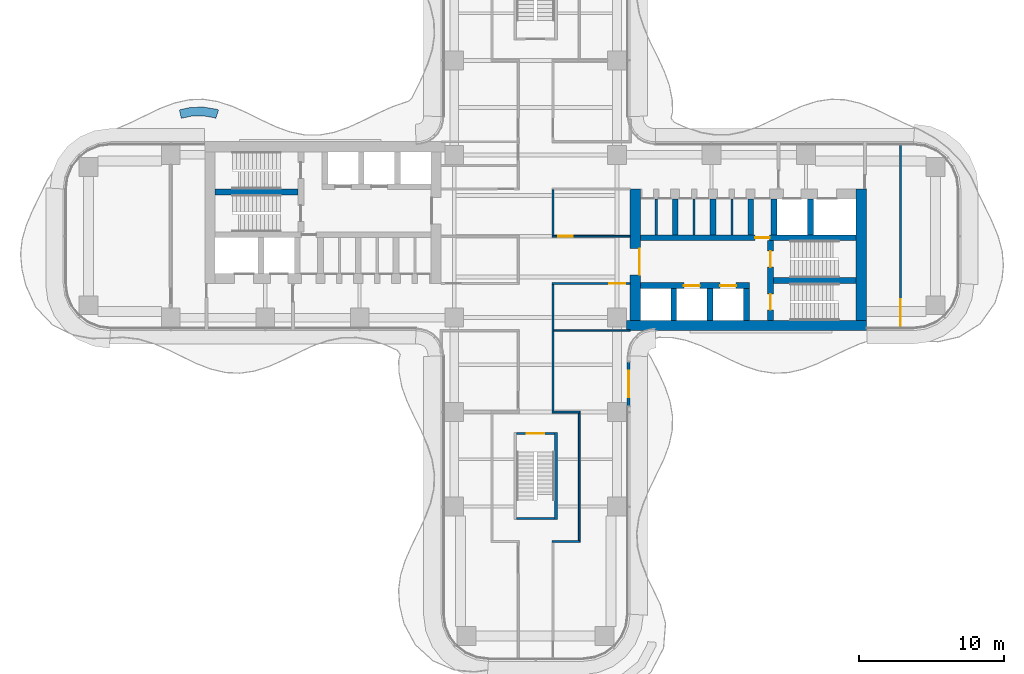
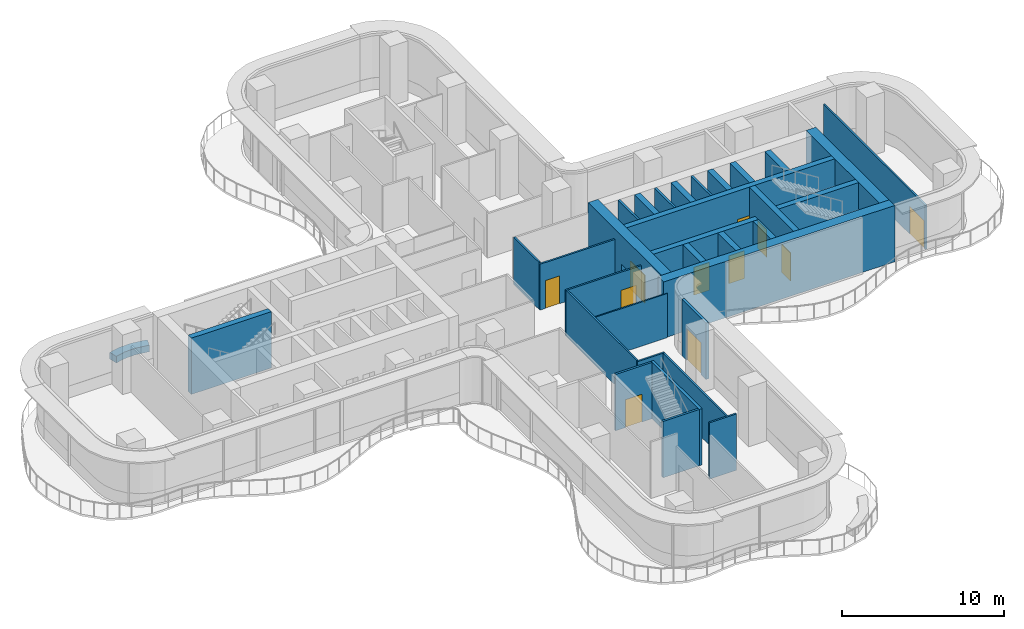
# One storey, part 19 of 23: 33 walls, 11 doors, 11 openings.
"""IFC4 building model written with IfcOpenShell, lengths in metres."""

from ifc_helpers import new_model, si_unit, direction, frame, frame_2d, origin, place, context, subcontext, project, spatial, polyline, rectangle, outline, extrude, source, transform, mapped, material, layer, layer_set, type_object, element, fill, save


model = new_model("IFC4")

# Units and contexts
model_context = context("Model", 3, precision=1e-05, world=origin(), true_north=direction((0.0, 1.0)))
body_context = subcontext(model_context, "Body", "Model", "MODEL_VIEW")
ifc_project = project(units=[si_unit("LENGTHUNIT", "METRE"), si_unit("AREAUNIT", "SQUARE_METRE"), si_unit("VOLUMEUNIT", "CUBIC_METRE"), si_unit("PLANEANGLEUNIT", "RADIAN"), si_unit("MASSUNIT", "GRAM", prefix="KILO")], contexts=[model_context])

# Site, building, storey
site_placement = place(None, origin())
site = spatial("IfcSite", under=ifc_project, at=site_placement, CompositionType="ELEMENT")
building_placement = place(site_placement, origin())
building = spatial("IfcBuilding", under=site, at=building_placement, Name="Trellis Farm Tower", CompositionType="ELEMENT")
storey_placement = place(building_placement, frame((0.0, 0.0, 120.0)))
storey = spatial("IfcBuildingStorey", under=building, at=storey_placement, Name="L25", CompositionType="ELEMENT", Elevation=120.0)

# Wall
ifc_material_1 = material(Name="Sandstone faced masonry planter", Category="masonry")
ifc_layer_1 = layer(ifc_material_1, 0.60009765625)
ifc_layer_set_1 = layer_set([ifc_layer_1], Name="PLANTER BED 600")
wall_type_1 = type_object("IfcWallType", Name="PLANTER BED 600", PredefinedType="USERDEFINED", material=ifc_layer_set_1)
wall_1_placement = place(storey_placement, origin())
element("IfcWall", 1, at=wall_1_placement, inside=storey, type_object=wall_type_1, Name="PLANTER bed", ObjectType="PLANTER", PredefinedType="USERDEFINED", context=body_context, shape_type="SweptSolid", body=[
    extrude(outline(polyline([(-22.872802734375, 8.885498046875), (-21.99951171875, 8.74560546875), (-21.815185546875, 8.684814453125), (-22.0029296875, 8.114990234375), (-22.141845703125, 8.160888671875), (-22.910888671875, 8.283935546875), (-23.69287109375, 8.2587890625), (-24.375, 8.107177734375), (-24.505126953125, 8.69287109375), (-23.768310546875, 8.856689453125), (-22.872802734375, 8.885498046875)])), origin(), (0.0, 0.0, 1.0), 0.5),
])

# Wall, opening, door
ifc_material_2 = material(Name="Concrete C70/85", Category="concrete")
ifc_layer_2 = layer(ifc_material_2, 0.699951171875)
ifc_layer_set_2 = layer_set([ifc_layer_2], Name="CORE OUTER WALL 700 CONCRETE C70/85")
wall_type_2 = type_object("IfcWallType", Name="CORE OUTER WALL 700 CONCRETE C70/85", PredefinedType="SHEAR", material=ifc_layer_set_2)
shared_shape_1 = source(origin(), body_context, "Body", "SweptSolid", [
    extrude(rectangle(XDim=9.050048828125, YDim=0.699951171875, at=frame_2d((4.52490234375, 0.0))), origin(), (0.0, 0.0, 1.0), 4.25),
])
wall_2_placement = place(storey_placement, frame((6.85009765625, -5.800048828125, 0.0), z_axis=(0.0, 0.0, 1.0), x_axis=(0.0, 1.0, 0.0)))
wall_2 = element("IfcWall", 2, at=wall_2_placement, inside=storey, type_object=wall_type_2, Name="Core wall", PredefinedType="SHEAR", context=body_context, shape_type="MappedRepresentation", body=[
    mapped(shared_shape_1, transform((0.0, 0.0, 0.0))),
])
shared_shape_2 = source(origin(), body_context, "Body", "SweptSolid", [
    extrude(rectangle(XDim=1.800048828125, YDim=2.10009765625, at=frame_2d((0.89990234375, 1.050048828125))), frame((0.0, 0.360107421875, 0.0), z_axis=(0.0, -1.0, 0.0), x_axis=(1.0, 0.0, 0.0)), (0.0, 0.0, 1.0), 0.72021484375),
])
opening_1_placement = place(wall_2_placement, frame((3.14990234375, 0.0, 0.0)))
opening_1 = element("IfcOpeningElement", 3, at=opening_1_placement, cuts=wall_2, Name="Opening DC1", PredefinedType="OPENING", context=body_context, shape_type="MappedRepresentation", body=[
    mapped(shared_shape_2, transform((0.0, 0.0, 0.0))),
])
ifc_material_3 = material(Name="Steel", Category="steel")
door_type_1 = type_object("IfcDoorType", Name="CORE FIRE DOOR DOUBLE 1800 X 2100", OperationType="DOUBLE_DOOR_SINGLE_SWING", PredefinedType="DOOR", material=ifc_material_3)
shared_shape_3 = source(origin(), body_context, "Body", "SweptSolid", [
    extrude(rectangle(XDim=1.800048828125, YDim=2.10009765625, at=frame_2d((0.89990234375, 1.050048828125))), frame((0.0, -0.27490234375, 0.0), z_axis=(0.0, -1.0, 0.0), x_axis=(1.0, 0.0, 0.0)), (0.0, 0.0, 1.0), 0.050048828125),
])
door_1_placement = place(opening_1_placement, origin())
door_1 = element("IfcDoor", 4, at=door_1_placement, inside=storey, type_object=door_type_1, Name="Core door", OperationType="DOUBLE_DOOR_SINGLE_SWING", OverallHeight=2.10009765625, OverallWidth=1.800048828125, PredefinedType="DOOR", context=body_context, shape_type="MappedRepresentation", body=[
    mapped(shared_shape_3, transform((0.0, 0.0, 0.0))),
])
fill(opening_1, door_1)

# Walls
wall_3_placement = place(storey_placement, frame((22.39990234375, -5.800048828125, 0.0), z_axis=(0.0, 0.0, 1.0), x_axis=(0.0, 1.0, 0.0)))
element("IfcWall", 5, at=wall_3_placement, inside=storey, type_object=wall_type_2, Name="Core wall", PredefinedType="SHEAR", context=body_context, shape_type="MappedRepresentation", body=[
    mapped(shared_shape_1, transform((0.0, 0.0, 0.0))),
])
ifc_layer_3 = layer(ifc_material_2, 0.39990234375)
ifc_layer_set_3 = layer_set([ifc_layer_3], Name="CORE INNER WALL 400 CONCRETE C70/85")
wall_type_3 = type_object("IfcWallType", Name="CORE INNER WALL 400 CONCRETE C70/85", PredefinedType="SHEAR", material=ifc_layer_set_3)
shared_shape_4 = source(origin(), body_context, "Body", "SweptSolid", [
    extrude(rectangle(XDim=2.199951171875, YDim=0.39990234375, at=frame_2d((1.10009765625, 0.0))), origin(), (0.0, 0.0, 1.0), 4.25),
])
for number, where, z_axis, x_axis, name in (
    (6, (9.5, -5.800048828125, 0.0), (0.0, 0.0, 1.0), (0.0, 1.0, 0.0), "Core wall"),
    (7, (12.0, -5.800048828125, 0.0), (0.0, 0.0, 1.0), (0.0, 1.0, 0.0), "Core wall"),
    (8, (14.5, -5.800048828125, 0.0), (0.0, 0.0, 1.0), (0.0, 1.0, 0.0), "Core wall"),
):
    element("IfcWall", number, at=place(storey_placement, frame(where, z_axis=z_axis, x_axis=x_axis)), inside=storey, type_object=wall_type_3, Name=name, PredefinedType="SHEAR", context=body_context, shape_type="MappedRepresentation", body=[
        mapped(shared_shape_4, transform((0.0, 0.0, 0.0))),
    ])
shared_shape_5 = source(origin(), body_context, "Body", "SweptSolid", [
    extrude(rectangle(XDim=2.449951171875, YDim=0.39990234375, at=frame_2d((1.22509765625, 0.0))), origin(), (0.0, 0.0, 1.0), 4.25),
])
for number, where, z_axis, x_axis, name in (
    (9, (9.60009765625, 0.10009765625, 0.0), (0.0, 0.0, 1.0), (0.0, 1.0, 0.0), "Core wall"),
    (10, (12.199951171875, 0.10009765625, 0.0), (0.0, 0.0, 1.0), (0.0, 1.0, 0.0), "Core wall"),
    (11, (14.800048828125, 0.10009765625, 0.0), (0.0, 0.0, 1.0), (0.0, 1.0, 0.0), "Core wall"),
    (12, (16.39990234375, 0.10009765625, 0.0), (0.0, 0.0, 1.0), (0.0, 1.0, 0.0), "Core wall"),
    (13, (18.89990234375, 0.10009765625, 0.0), (0.0, 0.0, 1.0), (0.0, 1.0, 0.0), "Core wall"),
):
    element("IfcWall", number, at=place(storey_placement, frame(where, z_axis=z_axis, x_axis=x_axis)), inside=storey, type_object=wall_type_3, Name=name, PredefinedType="SHEAR", context=body_context, shape_type="MappedRepresentation", body=[
        mapped(shared_shape_5, transform((0.0, 0.0, 0.0))),
    ])

# Wall, openings, doors
shared_shape_6 = source(origin(), body_context, "Body", "SweptSolid", [
    extrude(rectangle(XDim=7.5, YDim=0.39990234375, at=frame_2d((3.75, 0.0))), origin(), (0.0, 0.0, 1.0), 4.25),
])
wall_4_placement = place(storey_placement, frame((7.199951171875, -3.39990234375, 0.0), z_axis=(0.0, 0.0, 1.0), x_axis=(1.0, 0.0, 0.0)))
wall_4 = element("IfcWall", 14, at=wall_4_placement, inside=storey, type_object=wall_type_3, Name="Core wall", PredefinedType="SHEAR", context=body_context, shape_type="MappedRepresentation", body=[
    mapped(shared_shape_6, transform((0.0, 0.0, 0.0))),
])
shared_shape_7 = source(origin(), body_context, "Body", "SweptSolid", [
    extrude(rectangle(XDim=1.10009765625, YDim=2.10009765625, at=frame_2d((0.550048828125, 1.050048828125))), frame((0.0, 0.2099609375, 0.0), z_axis=(0.0, -1.0, 0.0), x_axis=(1.0, 0.0, 0.0)), (0.0, 0.0, 1.0), 0.419921875),
])
opening_2_placement = place(wall_4_placement, frame((3.0, 0.0, 0.0)))
opening_2 = element("IfcOpeningElement", 15, at=opening_2_placement, cuts=wall_4, Name="Opening LD2", PredefinedType="OPENING", context=body_context, shape_type="MappedRepresentation", body=[
    mapped(shared_shape_7, transform((0.0, 0.0, 0.0))),
])
opening_3_placement = place(wall_4_placement, frame((5.5, 0.0, 0.0)))
opening_3 = element("IfcOpeningElement", 16, at=opening_3_placement, cuts=wall_4, Name="Opening LD3", PredefinedType="OPENING", context=body_context, shape_type="MappedRepresentation", body=[
    mapped(shared_shape_7, transform((0.0, 0.0, 0.0))),
])
ifc_material_4 = material(Name="Stainless steel", Category="steel")
door_type_2 = type_object("IfcDoorType", Name="LIFT LANDING DOOR 1100 X 2100", OperationType="DOUBLE_DOOR_SLIDING", PredefinedType="DOOR", material=ifc_material_4)
shared_shape_8 = source(origin(), body_context, "Body", "SweptSolid", [
    extrude(rectangle(XDim=1.10009765625, YDim=2.10009765625, at=frame_2d((0.550048828125, 1.050048828125))), frame((0.0, 0.02490234375, 0.0), z_axis=(0.0, -1.0, 0.0), x_axis=(1.0, 0.0, 0.0)), (0.0, 0.0, 1.0), 0.050048828125),
])
door_2_placement = place(opening_2_placement, origin())
door_2 = element("IfcDoor", 17, at=door_2_placement, inside=storey, type_object=door_type_2, Name="Lift landing door", OperationType="DOUBLE_DOOR_SLIDING", OverallHeight=2.10009765625, OverallWidth=1.10009765625, PredefinedType="DOOR", context=body_context, shape_type="MappedRepresentation", body=[
    mapped(shared_shape_8, transform((0.0, 0.0, 0.0))),
])
fill(opening_2, door_2)
door_3_placement = place(opening_3_placement, origin())
door_3 = element("IfcDoor", 18, at=door_3_placement, inside=storey, type_object=door_type_2, Name="Lift landing door", OperationType="DOUBLE_DOOR_SLIDING", OverallHeight=2.10009765625, OverallWidth=1.10009765625, PredefinedType="DOOR", context=body_context, shape_type="MappedRepresentation", body=[
    mapped(shared_shape_8, transform((0.0, 0.0, 0.0))),
])
fill(opening_3, door_3)

# Wall, opening, door
shared_shape_9 = source(origin(), body_context, "Body", "SweptSolid", [
    extrude(rectangle(XDim=14.85009765625, YDim=0.39990234375, at=frame_2d((7.425048828125, 0.0))), origin(), (0.0, 0.0, 1.0), 4.25),
])
wall_5_placement = place(storey_placement, frame((7.199951171875, -0.10009765625, 0.0), z_axis=(0.0, 0.0, 1.0), x_axis=(1.0, 0.0, 0.0)))
wall_5 = element("IfcWall", 19, at=wall_5_placement, inside=storey, type_object=wall_type_3, Name="Core wall", PredefinedType="SHEAR", context=body_context, shape_type="MappedRepresentation", body=[
    mapped(shared_shape_9, transform((0.0, 0.0, 0.0))),
])
shared_shape_10 = source(origin(), body_context, "Body", "SweptSolid", [
    extrude(rectangle(XDim=1.0, YDim=2.10009765625, at=frame_2d((0.5, 1.050048828125))), frame((0.0, 0.2099609375, 0.0), z_axis=(0.0, -1.0, 0.0), x_axis=(1.0, 0.0, 0.0)), (0.0, 0.0, 1.0), 0.419921875),
])
opening_4_placement = place(wall_5_placement, frame((7.89990234375, 0.0, 0.0)))
opening_4 = element("IfcOpeningElement", 20, at=opening_4_placement, cuts=wall_5, Name="Opening DC5", PredefinedType="OPENING", context=body_context, shape_type="MappedRepresentation", body=[
    mapped(shared_shape_10, transform((0.0, 0.0, 0.0))),
])
door_type_3 = type_object("IfcDoorType", Name="CORE FIRE DOOR 1000 X 2100", OperationType="NOTDEFINED", PredefinedType="DOOR", material=ifc_material_3)
shared_shape_11 = source(origin(), body_context, "Body", "SweptSolid", [
    extrude(rectangle(XDim=1.0, YDim=2.10009765625, at=frame_2d((0.5, 1.050048828125))), frame((0.0, 0.02490234375, 0.0), z_axis=(0.0, -1.0, 0.0), x_axis=(1.0, 0.0, 0.0)), (0.0, 0.0, 1.0), 0.050048828125),
])
door_4_placement = place(opening_4_placement, origin())
door_4 = element("IfcDoor", 21, at=door_4_placement, inside=storey, type_object=door_type_3, Name="Core door", OperationType="SINGLE_SWING_RIGHT", OverallHeight=2.10009765625, OverallWidth=1.0, PredefinedType="DOOR", context=body_context, shape_type="MappedRepresentation", body=[
    mapped(shared_shape_11, transform((0.0, 0.0, 0.0))),
])
fill(opening_4, door_4)

# Wall, openings, doors
shared_shape_12 = source(origin(), body_context, "Body", "SweptSolid", [
    extrude(rectangle(XDim=5.5, YDim=0.39990234375, at=frame_2d((2.75, 0.0))), origin(), (0.0, 0.0, 1.0), 4.25),
])
wall_6_placement = place(storey_placement, frame((16.14990234375, -5.800048828125, 0.0), z_axis=(0.0, 0.0, 1.0), x_axis=(0.0, 1.0, 0.0)))
wall_6 = element("IfcWall", 22, at=wall_6_placement, inside=storey, type_object=wall_type_3, Name="Core wall", PredefinedType="SHEAR", context=body_context, shape_type="MappedRepresentation", body=[
    mapped(shared_shape_12, transform((0.0, 0.0, 0.0))),
])
opening_5_placement = place(wall_6_placement, frame((0.72509765625, 0.0, 0.0)))
opening_5 = element("IfcOpeningElement", 23, at=opening_5_placement, cuts=wall_6, Name="Opening DC2", PredefinedType="OPENING", context=body_context, shape_type="MappedRepresentation", body=[
    mapped(shared_shape_7, transform((0.0, 0.0, 0.0))),
])
opening_6_placement = place(wall_6_placement, frame((3.675048828125, 0.0, 0.0)))
opening_6 = element("IfcOpeningElement", 24, at=opening_6_placement, cuts=wall_6, Name="Opening DC3", PredefinedType="OPENING", context=body_context, shape_type="MappedRepresentation", body=[
    mapped(shared_shape_7, transform((0.0, 0.0, 0.0))),
])
door_type_4 = type_object("IfcDoorType", Name="CORE FIRE DOOR 1100 X 2100", OperationType="NOTDEFINED", PredefinedType="DOOR", material=ifc_material_3)
door_5_placement = place(opening_5_placement, origin())
door_5 = element("IfcDoor", 25, at=door_5_placement, inside=storey, type_object=door_type_4, Name="Core door", OperationType="SINGLE_SWING_RIGHT", OverallHeight=2.10009765625, OverallWidth=1.10009765625, PredefinedType="DOOR", context=body_context, shape_type="MappedRepresentation", body=[
    mapped(shared_shape_8, transform((0.0, 0.0, 0.0))),
])
fill(opening_5, door_5)
door_6_placement = place(opening_6_placement, origin())
door_6 = element("IfcDoor", 26, at=door_6_placement, inside=storey, type_object=door_type_4, Name="Core door", OperationType="SINGLE_SWING_LEFT", OverallHeight=2.10009765625, OverallWidth=1.10009765625, PredefinedType="DOOR", context=body_context, shape_type="MappedRepresentation", body=[
    mapped(shared_shape_8, transform((0.0, 0.0, 0.0))),
])
fill(opening_6, door_6)

# Walls
shared_shape_13 = source(origin(), body_context, "Body", "SweptSolid", [
    extrude(rectangle(XDim=5.699951171875, YDim=0.39990234375, at=frame_2d((2.85009765625, 0.0))), origin(), (0.0, 0.0, 1.0), 4.25),
])
for number, where, z_axis, x_axis, name in (
    (27, (16.35009765625, -3.050048828125, 0.0), (0.0, 0.0, 1.0), (1.0, 0.0, 0.0), "Core wall"),
    (28, (-16.35009765625, 3.050048828125, 0.0), (0.0, 0.0, 1.0), (-1.0, 0.0, 0.0), "Core wall"),
):
    element("IfcWall", number, at=place(storey_placement, frame(where, z_axis=z_axis, x_axis=x_axis)), inside=storey, type_object=wall_type_3, Name=name, PredefinedType="SHEAR", context=body_context, shape_type="MappedRepresentation", body=[
        mapped(shared_shape_13, transform((0.0, 0.0, 0.0))),
    ])
ifc_material_5 = material(Name="Masonry blockwork", Category="masonry")
ifc_layer_4 = layer(ifc_material_5, 0.14990234375)
ifc_layer_set_4 = layer_set([ifc_layer_4], Name="CORE PARTITION 150 BLOCKWORK")
wall_type_4 = type_object("IfcWallType", Name="CORE PARTITION 150 BLOCKWORK", PredefinedType="PARTITIONING", material=ifc_layer_set_4)
shared_shape_14 = source(origin(), body_context, "Body", "SweptSolid", [
    extrude(rectangle(XDim=2.449951171875, YDim=0.14990234375, at=frame_2d((1.22509765625, 0.0))), origin(), (0.0, 0.0, 1.0), 4.25),
])
for number, where, z_axis, x_axis, name in (
    (29, (8.300048828125, 0.10009765625, 0.0), (0.0, 0.0, 1.0), (0.0, 1.0, 0.0), "Core room partition"),
    (30, (10.89990234375, 0.10009765625, 0.0), (0.0, 0.0, 1.0), (0.0, 1.0, 0.0), "Core room partition"),
    (31, (13.5, 0.10009765625, 0.0), (0.0, 0.0, 1.0), (0.0, 1.0, 0.0), "Core room partition"),
):
    element("IfcWall", number, at=place(storey_placement, frame(where, z_axis=z_axis, x_axis=x_axis)), inside=storey, type_object=wall_type_4, Name=name, PredefinedType="PARTITIONING", context=body_context, shape_type="MappedRepresentation", body=[
        mapped(shared_shape_14, transform((0.0, 0.0, 0.0))),
    ])
shared_shape_15 = source(origin(), body_context, "Body", "SweptSolid", [
    extrude(rectangle(XDim=16.5, YDim=0.699951171875, at=frame_2d((8.25, 0.0))), origin(), (0.0, 0.0, 1.0), 4.25),
])
wall_7_placement = place(storey_placement, frame((6.25, -6.14990234375, 0.0), z_axis=(0.0, 0.0, 1.0), x_axis=(1.0, 0.0, 0.0)))
element("IfcWall", 32, at=wall_7_placement, inside=storey, type_object=wall_type_2, Name="Core wall", PredefinedType="SHEAR", context=body_context, shape_type="MappedRepresentation", body=[
    mapped(shared_shape_15, transform((0.0, 0.0, 0.0))),
])
ifc_layer_5 = layer(ifc_material_2, 0.199951171875)
ifc_layer_set_5 = layer_set([ifc_layer_5], Name="CORE STAIR ENCLOSURE WALL 200 CONCRETE C70/85")
wall_type_5 = type_object("IfcWallType", Name="CORE STAIR ENCLOSURE WALL 200 CONCRETE C70/85", PredefinedType="SHEAR", material=ifc_layer_set_5)
shared_shape_16 = source(origin(), body_context, "Body", "SweptSolid", [
    extrude(rectangle(XDim=6.0, YDim=0.199951171875, at=frame_2d((3.0, 0.0))), origin(), (0.0, 0.0, 1.0), 4.25),
])
wall_8_placement = place(storey_placement, frame((1.39990234375, -13.5, 0.0), z_axis=(0.0, 0.0, 1.0), x_axis=(0.0, -1.0, 0.0)))
element("IfcWall", 33, at=wall_8_placement, inside=storey, type_object=wall_type_5, Name="Stair enclosure wall", PredefinedType="SHEAR", context=body_context, shape_type="MappedRepresentation", body=[
    mapped(shared_shape_16, transform((0.0, 0.0, 0.0))),
])

# Wall, opening, door
ifc_layer_6 = layer(ifc_material_2, 0.14990234375)
ifc_layer_set_6 = layer_set([ifc_layer_6], Name="CORE STAIR ENCLOSURE WALL 150 CONCRETE C70/85")
wall_type_6 = type_object("IfcWallType", Name="CORE STAIR ENCLOSURE WALL 150 CONCRETE C70/85", PredefinedType="SHEAR", material=ifc_layer_set_6)
shared_shape_17 = source(origin(), body_context, "Body", "SweptSolid", [
    extrude(rectangle(XDim=2.60009765625, YDim=0.14990234375, at=frame_2d((1.300048828125, 0.0))), origin(), (0.0, 0.0, 1.0), 4.25),
])
wall_9_placement = place(storey_placement, frame((1.300048828125, -13.574951171875, 0.0), z_axis=(0.0, 0.0, 1.0), x_axis=(-1.0, 0.0, 0.0)))
wall_9 = element("IfcWall", 34, at=wall_9_placement, inside=storey, type_object=wall_type_6, Name="Stair enclosure wall", PredefinedType="SHEAR", context=body_context, shape_type="MappedRepresentation", body=[
    mapped(shared_shape_17, transform((0.0, 0.0, 0.0))),
])
shared_shape_18 = source(origin(), body_context, "Body", "SweptSolid", [
    extrude(rectangle(XDim=1.199951171875, YDim=2.10009765625, at=frame_2d((0.60009765625, 1.050048828125))), frame((0.0, 0.0849609375, 0.0), z_axis=(0.0, -1.0, 0.0), x_axis=(1.0, 0.0, 0.0)), (0.0, 0.0, 1.0), 0.169921875),
])
opening_7_placement = place(wall_9_placement, frame((0.699951171875, 0.0, 0.0)))
opening_7 = element("IfcOpeningElement", 35, at=opening_7_placement, cuts=wall_9, Name="Opening DC174", PredefinedType="OPENING", context=body_context, shape_type="MappedRepresentation", body=[
    mapped(shared_shape_18, transform((0.0, 0.0, 0.0))),
])
door_type_5 = type_object("IfcDoorType", Name="CORE FIRE DOOR 1200 X 2100", OperationType="NOTDEFINED", PredefinedType="DOOR", material=ifc_material_3)
shared_shape_19 = source(origin(), body_context, "Body", "SweptSolid", [
    extrude(rectangle(XDim=1.199951171875, YDim=2.10009765625, at=frame_2d((0.60009765625, 1.050048828125))), frame((0.0, 0.02490234375, 0.0), z_axis=(0.0, -1.0, 0.0), x_axis=(1.0, 0.0, 0.0)), (0.0, 0.0, 1.0), 0.050048828125),
])
door_7_placement = place(opening_7_placement, origin())
door_7 = element("IfcDoor", 36, at=door_7_placement, inside=storey, type_object=door_type_5, Name="Core door", OperationType="SINGLE_SWING_RIGHT", OverallHeight=2.10009765625, OverallWidth=1.199951171875, PredefinedType="DOOR", context=body_context, shape_type="MappedRepresentation", body=[
    mapped(shared_shape_19, transform((0.0, 0.0, 0.0))),
])
fill(opening_7, door_7)

# Wall
wall_10_placement = place(storey_placement, frame((1.300048828125, -19.425048828125, 0.0), z_axis=(0.0, 0.0, 1.0), x_axis=(-1.0, 0.0, 0.0)))
element("IfcWall", 37, at=wall_10_placement, inside=storey, type_object=wall_type_6, Name="Stair enclosure wall", PredefinedType="SHEAR", context=body_context, shape_type="MappedRepresentation", body=[
    mapped(shared_shape_17, transform((0.0, 0.0, 0.0))),
])

# Wall, opening, door
ifc_material_6 = material(Name="Sandstone faced insulated wall", Category="masonry")
ifc_layer_7 = layer(ifc_material_6, 0.199951171875)
ifc_layer_set_7 = layer_set([ifc_layer_7], Name="EXTERNAL INFILL WALL 200")
wall_type_7 = type_object("IfcWallType", Name="EXTERNAL INFILL WALL 200", PredefinedType="SOLIDWALL", material=ifc_layer_set_7)
shared_shape_20 = source(origin(), body_context, "Body", "SweptSolid", [
    extrude(rectangle(XDim=3.0, YDim=0.199951171875, at=frame_2d((1.5, 0.0))), origin(), (0.0, 0.0, 1.0), 4.25),
])
wall_11_placement = place(storey_placement, frame((6.39990234375, -11.665771484375, 0.0), z_axis=(0.0, 0.0, 1.0), x_axis=(0.0, 1.0, 0.0)))
wall_11 = element("IfcWall", 38, at=wall_11_placement, inside=storey, type_object=wall_type_7, Name="EW1 01", PredefinedType="SOLIDWALL", context=body_context, shape_type="MappedRepresentation", body=[
    mapped(shared_shape_20, transform((0.0, 0.0, 0.0))),
])
shared_shape_21 = source(origin(), body_context, "Body", "SweptSolid", [
    extrude(rectangle(XDim=1.800048828125, YDim=2.39990234375, at=frame_2d((0.89990234375, 1.199951171875))), frame((0.0, 0.110107421875, 0.0), z_axis=(0.0, -1.0, 0.0), x_axis=(1.0, 0.0, 0.0)), (0.0, 0.0, 1.0), 0.22021484375),
])
opening_8_placement = place(wall_11_placement, frame((0.60009765625, 0.0, 0.0)))
opening_8 = element("IfcOpeningElement", 39, at=opening_8_placement, cuts=wall_11, Name="Opening ED1", PredefinedType="OPENING", context=body_context, shape_type="MappedRepresentation", body=[
    mapped(shared_shape_21, transform((0.0, 0.0, 0.0))),
])
ifc_material_7 = material(Name="Aluminium framed glazed door", Category="aluminium")
door_type_6 = type_object("IfcDoorType", Name="BALCONY DOOR 1800x2400", OperationType="DOUBLE_DOOR_SINGLE_SWING", PredefinedType="DOOR", material=ifc_material_7)
shared_shape_22 = source(origin(), body_context, "Body", "SweptSolid", [
    extrude(rectangle(XDim=1.800048828125, YDim=2.39990234375, at=frame_2d((0.89990234375, 1.199951171875))), frame((0.0, 0.02490234375, 0.0), z_axis=(0.0, -1.0, 0.0), x_axis=(1.0, 0.0, 0.0)), (0.0, 0.0, 1.0), 0.050048828125),
])
door_8_placement = place(opening_8_placement, origin())
door_8 = element("IfcDoor", 40, at=door_8_placement, inside=storey, type_object=door_type_6, Name="Balcony door", OperationType="DOUBLE_DOOR_SINGLE_SWING", OverallHeight=2.39990234375, OverallWidth=1.800048828125, PredefinedType="DOOR", context=body_context, shape_type="MappedRepresentation", body=[
    mapped(shared_shape_22, transform((0.0, 0.0, 0.0))),
])
fill(opening_8, door_8)

# Walls
ifc_material_8 = material(Name="Plasterboard on steel studs, mineral wool", Category="steel")
ifc_layer_8 = layer(ifc_material_8, 0.125)
ifc_layer_set_8 = layer_set([ifc_layer_8], Name="PARTITION 125 STUD EI 60")
wall_type_8 = type_object("IfcWallType", Name="PARTITION 125 STUD EI 60", PredefinedType="PARTITIONING", material=ifc_layer_set_8)
shared_shape_23 = source(origin(), body_context, "Body", "SweptSolid", [
    extrude(rectangle(XDim=3.125, YDim=0.125, at=frame_2d((1.5625, 0.0))), origin(), (0.0, 0.0, 1.0), 3.54638671875),
])
wall_12_placement = place(storey_placement, frame((1.199951171875, 3.1875, 0.0), z_axis=(0.0, 0.0, 1.0), x_axis=(0.0, -1.0, 0.0)))
element("IfcWall", 41, at=wall_12_placement, inside=storey, type_object=wall_type_8, Name="Partition PW1", PredefinedType="PARTITIONING", context=body_context, shape_type="MappedRepresentation", body=[
    mapped(shared_shape_23, transform((0.0, 0.0, 0.0))),
])
shared_shape_24 = source(origin(), body_context, "Body", "SweptSolid", [
    extrude(rectangle(XDim=1.925048828125, YDim=0.125, at=frame_2d((0.96240234375, 0.0))), origin(), (0.0, 0.0, 1.0), 3.4677734375),
])
wall_13_placement = place(storey_placement, frame((1.137451171875, -12.10009765625, 0.0), z_axis=(0.0, 0.0, 1.0), x_axis=(1.0, 0.0, 0.0)))
element("IfcWall", 42, at=wall_13_placement, inside=storey, type_object=wall_type_8, Name="Partition PW1", PredefinedType="PARTITIONING", context=body_context, shape_type="MappedRepresentation", body=[
    mapped(shared_shape_24, transform((0.0, 0.0, 0.0))),
])

# Wall, opening, door
shared_shape_25 = source(origin(), body_context, "Body", "SweptSolid", [
    extrude(rectangle(XDim=5.362548828125, YDim=0.125, at=frame_2d((2.68115234375, 0.0))), origin(), (0.0, 0.0, 1.0), 3.4677734375),
])
wall_14_placement = place(storey_placement, frame((6.5, -3.25, 0.0), z_axis=(0.0, 0.0, 1.0), x_axis=(-1.0, 0.0, 0.0)))
wall_14 = element("IfcWall", 43, at=wall_14_placement, inside=storey, type_object=wall_type_8, Name="Partition PW1", PredefinedType="PARTITIONING", context=body_context, shape_type="MappedRepresentation", body=[
    mapped(shared_shape_25, transform((0.0, 0.0, 0.0))),
])
shared_shape_26 = source(origin(), body_context, "Body", "SweptSolid", [
    extrude(rectangle(XDim=1.10009765625, YDim=2.10009765625, at=frame_2d((0.550048828125, 1.050048828125))), frame((0.0, 0.072509765625, 0.0), z_axis=(0.0, -1.0, 0.0), x_axis=(1.0, 0.0, 0.0)), (0.0, 0.0, 1.0), 0.14501953125),
])
opening_9_placement = place(wall_14_placement, frame((0.35009765625, 0.0, 0.0)))
opening_9 = element("IfcOpeningElement", 44, at=opening_9_placement, cuts=wall_14, Name="Opening D501", PredefinedType="OPENING", context=body_context, shape_type="MappedRepresentation", body=[
    mapped(shared_shape_26, transform((0.0, 0.0, 0.0))),
])
ifc_material_9 = material(Name="Fire-rated timber door leaf in a hollow metal frame", Category="wood")
door_type_7 = type_object("IfcDoorType", Name="DOOR 1100x2100 FD30S", OperationType="NOTDEFINED", PredefinedType="DOOR", material=ifc_material_9)
door_9_placement = place(opening_9_placement, origin())
door_9 = element("IfcDoor", 45, at=door_9_placement, inside=storey, type_object=door_type_7, Name="Door D501", OperationType="SINGLE_SWING_LEFT", OverallHeight=2.10009765625, OverallWidth=1.10009765625, PredefinedType="DOOR", context=body_context, shape_type="MappedRepresentation", body=[
    mapped(shared_shape_8, transform((0.0, 0.0, 0.0))),
])
fill(opening_9, door_9)

wall_15_placement = place(storey_placement, frame((6.5, 0.0, 0.0), z_axis=(0.0, 0.0, 1.0), x_axis=(-1.0, 0.0, 0.0)))
wall_15 = element("IfcWall", 46, at=wall_15_placement, inside=storey, type_object=wall_type_8, Name="Partition PW1", PredefinedType="PARTITIONING", context=body_context, shape_type="MappedRepresentation", body=[
    mapped(shared_shape_25, transform((0.0, 0.0, 0.0))),
])
shared_shape_27 = source(origin(), body_context, "Body", "SweptSolid", [
    extrude(rectangle(XDim=1.0, YDim=2.10009765625, at=frame_2d((0.5, 1.050048828125))), frame((0.0, 0.072509765625, 0.0), z_axis=(0.0, -1.0, 0.0), x_axis=(1.0, 0.0, 0.0)), (0.0, 0.0, 1.0), 0.14501953125),
])
opening_10_placement = place(wall_15_placement, frame((3.949951171875, 0.0, 0.0)))
opening_10 = element("IfcOpeningElement", 47, at=opening_10_placement, cuts=wall_15, Name="Opening D104", PredefinedType="OPENING", context=body_context, shape_type="MappedRepresentation", body=[
    mapped(shared_shape_27, transform((0.0, 0.0, 0.0))),
])
door_type_8 = type_object("IfcDoorType", Name="DOOR 1000x2100 FD30S", OperationType="NOTDEFINED", PredefinedType="DOOR", material=ifc_material_9)
door_10_placement = place(opening_10_placement, origin())
door_10 = element("IfcDoor", 48, at=door_10_placement, inside=storey, type_object=door_type_8, Name="Door D104", OperationType="SINGLE_SWING_RIGHT", OverallHeight=2.10009765625, OverallWidth=1.0, PredefinedType="DOOR", context=body_context, shape_type="MappedRepresentation", body=[
    mapped(shared_shape_11, transform((0.0, 0.0, 0.0))),
])
fill(opening_10, door_10)

# Walls
shared_shape_28 = source(origin(), body_context, "Body", "SweptSolid", [
    extrude(rectangle(XDim=8.72509765625, YDim=0.125, at=frame_2d((4.362548828125, 0.0))), origin(), (0.0, 0.0, 1.0), 3.4677734375),
])
wall_16_placement = place(storey_placement, frame((1.199951171875, -3.3125, 0.0), z_axis=(0.0, 0.0, 1.0), x_axis=(0.0, -1.0, 0.0)))
element("IfcWall", 49, at=wall_16_placement, inside=storey, type_object=wall_type_8, Name="Partition PW1", PredefinedType="PARTITIONING", context=body_context, shape_type="MappedRepresentation", body=[
    mapped(shared_shape_28, transform((0.0, 0.0, 0.0))),
])
shared_shape_29 = source(origin(), body_context, "Body", "SweptSolid", [
    extrude(rectangle(XDim=1.925048828125, YDim=0.125, at=frame_2d((0.96240234375, 0.0))), origin(), (0.0, 0.0, 1.0), 4.25),
])
wall_17_placement = place(storey_placement, frame((3.0625, -21.0, 0.0), z_axis=(0.0, 0.0, 1.0), x_axis=(-1.0, 0.0, 0.0)))
element("IfcWall", 50, at=wall_17_placement, inside=storey, type_object=wall_type_8, Name="Partition PW1", PredefinedType="PARTITIONING", context=body_context, shape_type="MappedRepresentation", body=[
    mapped(shared_shape_29, transform((0.0, 0.0, 0.0))),
])
ifc_material_10 = material(Name="Plasterboard on steel studs", Category="steel")
ifc_layer_9 = layer(ifc_material_10, 0.10009765625)
ifc_layer_set_9 = layer_set([ifc_layer_9], Name="PARTITION 100 STUD EI 30")
wall_type_9 = type_object("IfcWallType", Name="PARTITION 100 STUD EI 30", PredefinedType="PARTITIONING", material=ifc_layer_set_9)
shared_shape_30 = source(origin(), body_context, "Body", "SweptSolid", [
    extrude(rectangle(XDim=5.237548828125, YDim=0.10009765625, at=frame_2d((2.61865234375, 0.0))), origin(), (0.0, 0.0, 1.0), 3.330078125),
])
wall_18_placement = place(storey_placement, frame((1.262451171875, -6.5, 0.0), z_axis=(0.0, 0.0, 1.0), x_axis=(1.0, 0.0, 0.0)))
element("IfcWall", 51, at=wall_18_placement, inside=storey, type_object=wall_type_9, Name="Partition PW2", PredefinedType="PARTITIONING", context=body_context, shape_type="MappedRepresentation", body=[
    mapped(shared_shape_30, transform((0.0, 0.0, 0.0))),
])

# Wall, opening, door
shared_shape_31 = source(origin(), body_context, "Body", "SweptSolid", [
    extrude(rectangle(XDim=12.60009765625, YDim=0.125, at=frame_2d((6.300048828125, 0.0))), origin(), (0.0, 0.0, 1.0), 3.330078125),
])
wall_19_placement = place(storey_placement, frame((25.10009765625, 6.300048828125, 0.0), z_axis=(0.0, 0.0, 1.0), x_axis=(0.0, -1.0, 0.0)))
wall_19 = element("IfcWall", 52, at=wall_19_placement, inside=storey, type_object=wall_type_8, Name="Partition PW1", PredefinedType="PARTITIONING", context=body_context, shape_type="MappedRepresentation", body=[
    mapped(shared_shape_31, transform((0.0, 0.0, 0.0))),
])
shared_shape_32 = source(origin(), body_context, "Body", "SweptSolid", [
    extrude(rectangle(XDim=1.800048828125, YDim=2.10009765625, at=frame_2d((0.89990234375, 1.050048828125))), frame((0.0, 0.072509765625, 0.0), z_axis=(0.0, -1.0, 0.0), x_axis=(1.0, 0.0, 0.0)), (0.0, 0.0, 1.0), 0.14501953125),
])
opening_11_placement = place(wall_19_placement, frame((10.64990234375, 0.0, 0.0)))
opening_11 = element("IfcOpeningElement", 53, at=opening_11_placement, cuts=wall_19, Name="Opening D202", PredefinedType="OPENING", context=body_context, shape_type="MappedRepresentation", body=[
    mapped(shared_shape_32, transform((0.0, 0.0, 0.0))),
])
door_type_9 = type_object("IfcDoorType", Name="DOOR PAIR 1800x2100 FD30S", OperationType="NOTDEFINED", PredefinedType="DOOR", material=ifc_material_9)
shared_shape_33 = source(origin(), body_context, "Body", "SweptSolid", [
    extrude(rectangle(XDim=1.800048828125, YDim=2.10009765625, at=frame_2d((0.89990234375, 1.050048828125))), frame((0.0, 0.02490234375, 0.0), z_axis=(0.0, -1.0, 0.0), x_axis=(1.0, 0.0, 0.0)), (0.0, 0.0, 1.0), 0.050048828125),
])
door_11_placement = place(opening_11_placement, origin())
door_11 = element("IfcDoor", 54, at=door_11_placement, inside=storey, type_object=door_type_9, Name="Door D202", OperationType="DOUBLE_DOOR_SINGLE_SWING", OverallHeight=2.10009765625, OverallWidth=1.800048828125, PredefinedType="DOOR", context=body_context, shape_type="MappedRepresentation", body=[
    mapped(shared_shape_33, transform((0.0, 0.0, 0.0))),
])
fill(opening_11, door_11)

# Wall
shared_shape_34 = source(origin(), body_context, "Body", "SweptSolid", [
    extrude(rectangle(XDim=8.77490234375, YDim=0.125, at=frame_2d((4.387451171875, 0.0))), origin(), (0.0, 0.0, 1.0), 3.4677734375),
])
wall_20_placement = place(storey_placement, frame((3.0, -12.16259765625, 0.0), z_axis=(0.0, 0.0, 1.0), x_axis=(0.0, -1.0, 0.0)))
element("IfcWall", 55, at=wall_20_placement, inside=storey, type_object=wall_type_8, Name="Partition PW1", PredefinedType="PARTITIONING", context=body_context, shape_type="MappedRepresentation", body=[
    mapped(shared_shape_34, transform((0.0, 0.0, 0.0))),
])

save(model, "model.ifc")
